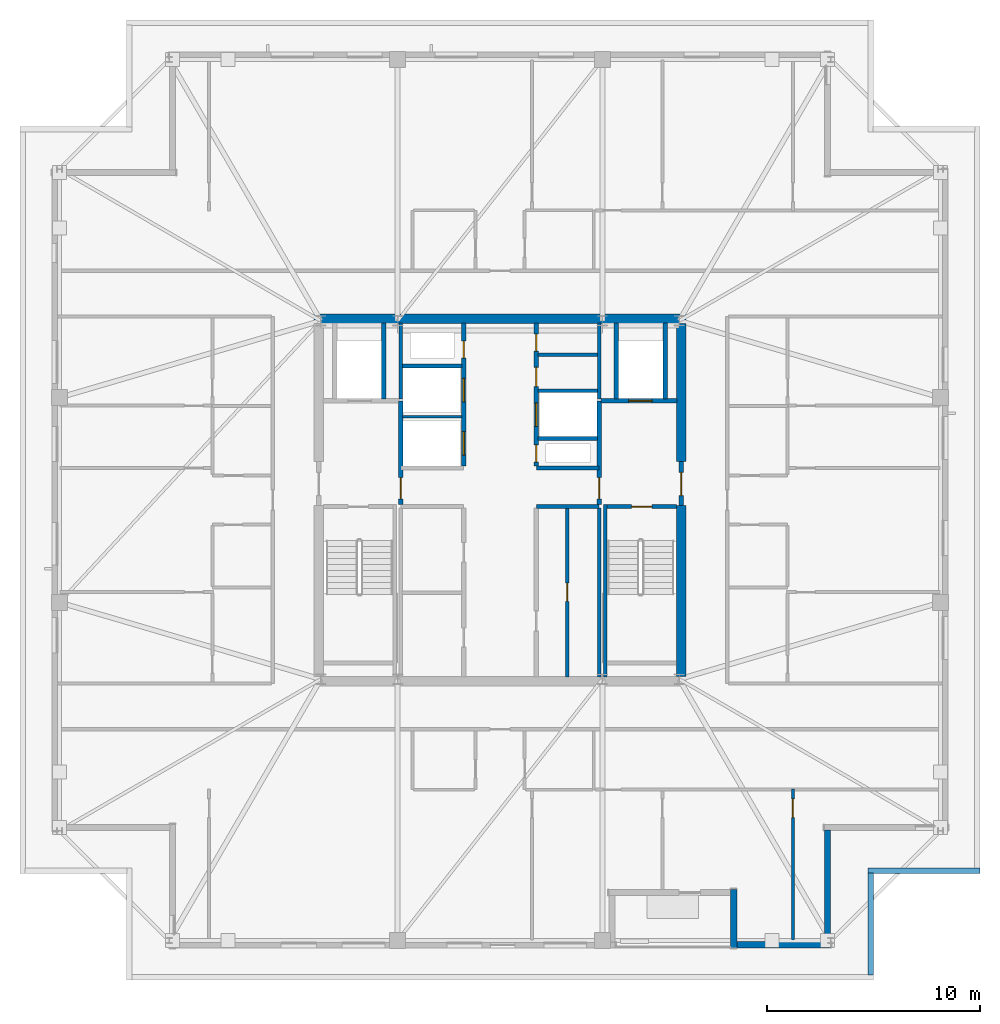
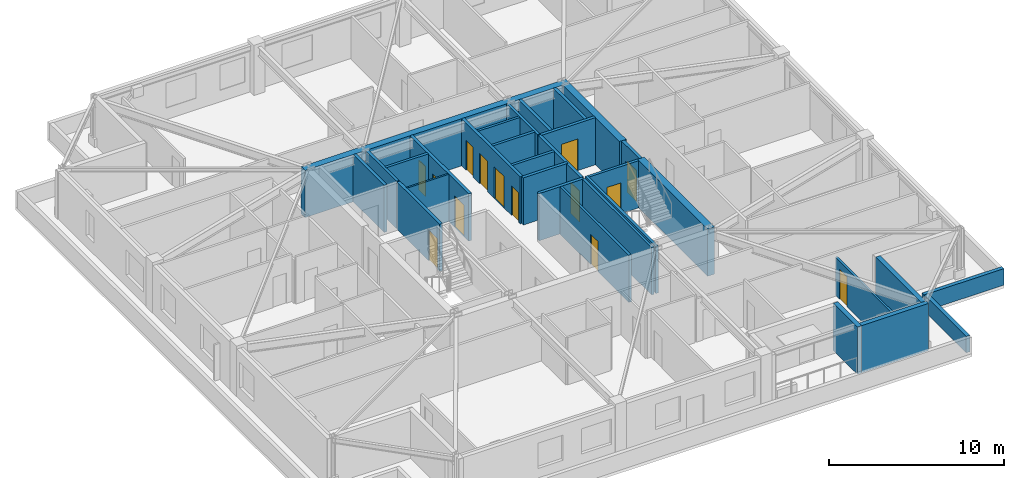
# One storey, part 9 of 15: 31 walls, 14 doors, 14 openings.
"""IFC4 building model written with IfcOpenShell, lengths in metres."""

from ifc_helpers import new_model, si_unit, direction, frame, frame_2d, origin, place, context, subcontext, project, spatial, rectangle, extrude, material, layer, layer_set, type_object, element, fill, save


model = new_model("IFC4")

# Units and contexts
model_context = context("Model", 3, precision=1e-05, world=origin(), true_north=direction((0.0, 1.0)))
body_context = subcontext(model_context, "Body", "Model", "MODEL_VIEW")
ifc_project = project(units=[si_unit("LENGTHUNIT", "METRE"), si_unit("AREAUNIT", "SQUARE_METRE"), si_unit("VOLUMEUNIT", "CUBIC_METRE"), si_unit("PLANEANGLEUNIT", "RADIAN"), si_unit("MASSUNIT", "GRAM", prefix="KILO")], contexts=[model_context])

# Site, building, storey
site_placement = place(None, origin())
site = spatial("IfcSite", under=ifc_project, at=site_placement, CompositionType="ELEMENT")
building_placement = place(site_placement, origin())
building = spatial("IfcBuilding", under=site, at=building_placement, Name="Cairnveth Concourse Tower", CompositionType="ELEMENT")
storey_placement = place(building_placement, frame((0.0, 0.0, 280.5)))
storey = spatial("IfcBuildingStorey", under=building, at=storey_placement, Name="L77", CompositionType="ELEMENT", Elevation=280.5)

# Wall
ifc_material_1 = material(Name="Gypsum Plasterboard Partition", Category="gypsum")
ifc_layer_1 = layer(ifc_material_1, 0.159912109375)
ifc_layer_set_1 = layer_set([ifc_layer_1], Name="Gypsum Plasterboard Partition")
wall_type_1 = type_object("IfcWallType", Name="ACOUSTIC PARTY WALL 180", PredefinedType="PARTITIONING", material=ifc_layer_set_1)
wall_1_placement = place(storey_placement, frame((56.64990234375, 30.7099609375, 0.0), z_axis=(0.0, 0.0, 1.0), x_axis=(0.0, 1.0, 0.0)))
element("IfcWall", 1, at=wall_1_placement, inside=storey, type_object=wall_type_1, Name="Interior Wall IW-L77-027", PredefinedType="PARTITIONING", context=body_context, shape_type="SweptSolid", body=[
    extrude(rectangle(XDim=7.905029296875, YDim=0.159912109375, at=frame_2d((3.95263671875, 0.0))), origin(), (0.0, 0.0, 1.0), 3.2900390625),
])

# Wall, opening, door
wall_2_placement = place(storey_placement, frame((55.14990234375, 30.7099609375, 0.0), z_axis=(0.0, 0.0, 1.0), x_axis=(0.0, 1.0, 0.0)))
wall_2 = element("IfcWall", 2, at=wall_2_placement, inside=storey, type_object=wall_type_1, Name="Interior Wall IW-L77-028", PredefinedType="PARTITIONING", context=body_context, shape_type="SweptSolid", body=[
    extrude(rectangle(XDim=7.905029296875, YDim=0.159912109375, at=frame_2d((3.95263671875, 0.0))), origin(), (0.0, 0.0, 1.0), 3.2900390625),
])
opening_1_placement = place(wall_2_placement, frame((3.5400390625, 0.0, 0.0)))
opening_1 = element("IfcOpeningElement", 3, at=opening_1_placement, cuts=wall_2, Name="Opening ID19", PredefinedType="OPENING", context=body_context, shape_type="SweptSolid", body=[
    extrude(rectangle(XDim=0.85009765625, YDim=2.1201171875, at=frame_2d((0.425048828125, 1.06005859375))), frame((0.0, 0.08984375, 0.0), z_axis=(0.0, -1.0, 0.0), x_axis=(1.0, 0.0, 0.0)), (0.0, 0.0, 1.0), 0.179931640625),
])
ifc_material_2 = material(Name="Steel Grade 350", Category="steel")
door_type_1 = type_object("IfcDoorType", Name="CORE SERVICE DOOR 850X2100", OperationType="NOTDEFINED", PredefinedType="DOOR", material=ifc_material_2)
door_1_placement = place(opening_1_placement, origin())
door_1 = element("IfcDoor", 4, at=door_1_placement, inside=storey, type_object=door_type_1, Name="Wine Cellar Door L77", OperationType="SINGLE_SWING_RIGHT", OverallHeight=2.1201171875, OverallWidth=0.85009765625, PredefinedType="DOOR", context=body_context, shape_type="SweptSolid", body=[
    extrude(rectangle(XDim=0.85009765625, YDim=2.1201171875, at=frame_2d((0.425048828125, 1.06005859375))), frame((0.0, 0.02490234375, 0.0), z_axis=(0.0, -1.0, 0.0), x_axis=(1.0, 0.0, 0.0)), (0.0, 0.0, 1.0), 0.050048828125),
])
fill(opening_1, door_1)

# Walls
wall_3_placement = place(storey_placement, frame((53.784912109375, 45.800048828125, 0.0), z_axis=(0.0, 0.0, 1.0), x_axis=(1.0, 0.0, 0.0)))
element("IfcWall", 5, at=wall_3_placement, inside=storey, type_object=wall_type_1, Name="Interior Wall IW-L77-035", PredefinedType="PARTITIONING", context=body_context, shape_type="SweptSolid", body=[
    extrude(rectangle(XDim=2.7900390625, YDim=0.159912109375, at=frame_2d((1.39501953125, 0.0))), origin(), (0.0, 0.0, 1.0), 3.2900390625),
])
ifc_material_3 = material(Name="Concrete N65 (65 MPa)", Category="concrete")
ifc_layer_2 = layer(ifc_material_3, 0.449951171875)
ifc_layer_set_2 = layer_set([ifc_layer_2], Name="Concrete N65 (65 MPa)")
wall_type_2 = type_object("IfcWallType", Name="CORE SHEAR WALL 450", PredefinedType="SHEAR", material=ifc_layer_set_2)
wall_4_placement = place(storey_placement, frame((43.27490234375, 47.5, 0.0), z_axis=(0.0, 0.0, 1.0), x_axis=(1.0, 0.0, 0.0)))
element("IfcWall", 6, at=wall_4_placement, inside=storey, type_object=wall_type_2, Name="Core North Shear Wall L77", PredefinedType="SHEAR", context=body_context, shape_type="SweptSolid", body=[
    extrude(rectangle(XDim=17.4501953125, YDim=0.449951171875, at=frame_2d((8.72509765625, 0.0))), origin(), (0.0, 0.0, 1.0), 3.2900390625),
])
wall_5_placement = place(storey_placement, frame((60.5, 30.715087890625, 0.0), z_axis=(0.0, 0.0, 1.0), x_axis=(0.0, 1.0, 0.0)))
element("IfcWall", 7, at=wall_5_placement, inside=storey, type_object=wall_type_2, Name="Core East Shear Wall S L77", PredefinedType="SHEAR", context=body_context, shape_type="SweptSolid", body=[
    extrude(rectangle(XDim=8.034912109375, YDim=0.449951171875, at=frame_2d((4.017578125, 0.0))), origin(), (0.0, 0.0, 1.0), 3.2900390625),
])
wall_6_placement = place(storey_placement, frame((60.5, 40.800048828125, 0.0), z_axis=(0.0, 0.0, 1.0), x_axis=(0.0, 1.0, 0.0)))
element("IfcWall", 8, at=wall_6_placement, inside=storey, type_object=wall_type_2, Name="Core East Shear Wall N L77", PredefinedType="SHEAR", context=body_context, shape_type="SweptSolid", body=[
    extrude(rectangle(XDim=6.48486328125, YDim=0.449951171875, at=frame_2d((3.242431640625, 0.0))), origin(), (0.0, 0.0, 1.0), 3.2900390625),
])
ifc_material_4 = material(Name="Concrete N50 (50 MPa)", Category="concrete")
ifc_layer_3 = layer(ifc_material_4, 0.179931640625)
ifc_layer_set_3 = layer_set([ifc_layer_3], Name="Concrete N50 (50 MPa)")
wall_type_3 = type_object("IfcWallType", Name="FIRE SHAFT WALL 180", PredefinedType="SOLIDWALL", material=ifc_layer_set_3)
wall_7_placement = place(storey_placement, frame((47.35009765625, 43.735107421875, 0.0), z_axis=(0.0, 0.0, 1.0), x_axis=(0.0, 1.0, 0.0)))
element("IfcWall", 9, at=wall_7_placement, inside=storey, type_object=wall_type_3, Name="Interior Wall IW-L77-029", PredefinedType="SOLIDWALL", context=body_context, shape_type="SweptSolid", body=[
    extrude(rectangle(XDim=3.554931640625, YDim=0.179931640625, at=frame_2d((1.77734375, 0.0))), origin(), (0.0, 0.0, 1.0), 3.2900390625),
])
wall_8_placement = place(storey_placement, frame((47.425048828125, 45.280029296875, 0.0), z_axis=(0.0, 0.0, 1.0), x_axis=(1.0, 0.0, 0.0)))
element("IfcWall", 10, at=wall_8_placement, inside=storey, type_object=wall_type_3, Name="Interior Wall IW-L77-031", PredefinedType="SOLIDWALL", context=body_context, shape_type="SweptSolid", body=[
    extrude(rectangle(XDim=2.7900390625, YDim=0.179931640625, at=frame_2d((1.39501953125, 0.0))), origin(), (0.0, 0.0, 1.0), 3.2900390625),
])
wall_9_placement = place(storey_placement, frame((56.64990234375, 43.735107421875, 0.0), z_axis=(0.0, 0.0, 1.0), x_axis=(0.0, 1.0, 0.0)))
element("IfcWall", 11, at=wall_9_placement, inside=storey, type_object=wall_type_3, Name="Interior Wall IW-L77-032", PredefinedType="SOLIDWALL", context=body_context, shape_type="SweptSolid", body=[
    extrude(rectangle(XDim=3.554931640625, YDim=0.179931640625, at=frame_2d((1.77734375, 0.0))), origin(), (0.0, 0.0, 1.0), 3.2900390625),
])
wall_10_placement = place(storey_placement, frame((53.784912109375, 41.8798828125, 0.0), z_axis=(0.0, 0.0, 1.0), x_axis=(1.0, 0.0, 0.0)))
element("IfcWall", 12, at=wall_10_placement, inside=storey, type_object=wall_type_3, Name="Interior Wall IW-L77-033", PredefinedType="SOLIDWALL", context=body_context, shape_type="SweptSolid", body=[
    extrude(rectangle(XDim=2.780029296875, YDim=0.179931640625, at=frame_2d((1.39013671875, 0.0))), origin(), (0.0, 0.0, 1.0), 3.2900390625),
])
wall_11_placement = place(storey_placement, frame((53.784912109375, 44.1201171875, 0.0), z_axis=(0.0, 0.0, 1.0), x_axis=(1.0, 0.0, 0.0)))
element("IfcWall", 13, at=wall_11_placement, inside=storey, type_object=wall_type_3, Name="Interior Wall IW-L77-034", PredefinedType="SOLIDWALL", context=body_context, shape_type="SweptSolid", body=[
    extrude(rectangle(XDim=2.7900390625, YDim=0.179931640625, at=frame_2d((1.39501953125, 0.0))), origin(), (0.0, 0.0, 1.0), 3.2900390625),
])

# Wall, opening, door
wall_12_placement = place(storey_placement, frame((57.0048828125, 38.68994140625, 0.0), z_axis=(0.0, 0.0, 1.0), x_axis=(1.0, 0.0, 0.0)))
wall_12 = element("IfcWall", 14, at=wall_12_placement, inside=storey, type_object=wall_type_3, Name="Stair ST-2 Shaft Wall NEAR L77", PredefinedType="SOLIDWALL", context=body_context, shape_type="SweptSolid", body=[
    extrude(rectangle(XDim=3.280029296875, YDim=0.179931640625, at=frame_2d((1.64013671875, 0.0))), origin(), (0.0, 0.0, 1.0), 3.2900390625),
])
opening_2_placement = place(wall_12_placement, frame((1.1650390625, 0.0, 0.0)))
opening_2 = element("IfcOpeningElement", 15, at=opening_2_placement, cuts=wall_12, Name="Opening ID12", PredefinedType="OPENING", context=body_context, shape_type="SweptSolid", body=[
    extrude(rectangle(XDim=0.949951171875, YDim=2.14990234375, at=frame_2d((0.47509765625, 1.074951171875))), frame((0.0, 0.099853515625, 0.0), z_axis=(0.0, -1.0, 0.0), x_axis=(1.0, 0.0, 0.0)), (0.0, 0.0, 1.0), 0.199951171875),
])
door_type_2 = type_object("IfcDoorType", Name="FIRE STAIR DOOR 950X2150", OperationType="NOTDEFINED", PredefinedType="DOOR", material=ifc_material_2)
door_2_placement = place(opening_2_placement, origin())
door_2 = element("IfcDoor", 16, at=door_2_placement, inside=storey, type_object=door_type_2, Name="Stair ST-2 Fire Door L77", OperationType="SINGLE_SWING_RIGHT", OverallHeight=2.14990234375, OverallWidth=0.949951171875, PredefinedType="DOOR", context=body_context, shape_type="SweptSolid", body=[
    extrude(rectangle(XDim=0.949951171875, YDim=2.14990234375, at=frame_2d((0.47509765625, 1.074951171875))), frame((0.0, 0.02490234375, 0.0), z_axis=(0.0, -1.0, 0.0), x_axis=(1.0, 0.0, 0.0)), (0.0, 0.0, 1.0), 0.050048828125),
])
fill(opening_2, door_2)

# Walls
wall_13_placement = place(storey_placement, frame((56.929931640625, 38.780029296875, 0.0), z_axis=(0.0, 0.0, 1.0), x_axis=(0.0, -1.0, 0.0)))
element("IfcWall", 17, at=wall_13_placement, inside=storey, type_object=wall_type_3, Name="Stair ST-2 Shaft Wall LEFT L77", PredefinedType="SOLIDWALL", context=body_context, shape_type="SweptSolid", body=[
    extrude(rectangle(XDim=8.067138671875, YDim=0.179931640625, at=frame_2d((4.03369140625, 0.0))), origin(), (0.0, 0.0, 1.0), 3.2900390625),
])
ifc_layer_4 = layer(ifc_material_4, 0.199951171875)
ifc_layer_set_4 = layer_set([ifc_layer_4], Name="Concrete N50 (50 MPa)")
wall_type_4 = type_object("IfcWallType", Name="FIRE SHAFT WALL 200", PredefinedType="SOLIDWALL", material=ifc_layer_set_4)
for number, where, z_axis, x_axis, name in (
    (18, (53.699951171875, 38.699951171875, 0.0), (0.0, 0.0, 1.0), (1.0, 0.0, 0.0), "Interior Wall IW-L77-009"),
    (19, (53.699951171875, 40.5, 0.0), (0.0, 0.0, 1.0), (1.0, 0.0, 0.0), "Interior Wall IW-L77-010"),
):
    element("IfcWall", number, at=place(storey_placement, frame(where, z_axis=z_axis, x_axis=x_axis)), inside=storey, type_object=wall_type_4, Name=name, PredefinedType="SOLIDWALL", context=body_context, shape_type="SweptSolid", body=[
        extrude(rectangle(XDim=2.949951171875, YDim=0.199951171875, at=frame_2d((1.47509765625, 0.0))), origin(), (0.0, 0.0, 1.0), 3.2900390625),
    ])

# Wall, openings, doors
wall_14_placement = place(storey_placement, frame((50.300048828125, 40.5849609375, 0.0), z_axis=(0.0, 0.0, 1.0), x_axis=(0.0, 1.0, 0.0)))
wall_14 = element("IfcWall", 20, at=wall_14_placement, inside=storey, type_object=wall_type_4, Name="Interior Wall IW-L77-013", PredefinedType="SOLIDWALL", context=body_context, shape_type="SweptSolid", body=[
    extrude(rectangle(XDim=6.705078125, YDim=0.199951171875, at=frame_2d((3.3525390625, 0.0))), origin(), (0.0, 0.0, 1.0), 3.2900390625),
])
opening_3_placement = place(wall_14_placement, frame((0.514892578125, 0.0, 0.0)))
opening_3 = element("IfcOpeningElement", 21, at=opening_3_placement, cuts=wall_14, Name="Opening LD-1", PredefinedType="OPENING", context=body_context, shape_type="SweptSolid", body=[
    extrude(rectangle(XDim=1.10009765625, YDim=2.199951171875, at=frame_2d((0.550048828125, 1.10009765625))), frame((0.0, 0.10986328125, 0.0), z_axis=(0.0, -1.0, 0.0), x_axis=(1.0, 0.0, 0.0)), (0.0, 0.0, 1.0), 0.219970703125),
])
opening_4_placement = place(wall_14_placement, frame((3.014892578125, 0.0, 0.0)))
opening_4 = element("IfcOpeningElement", 22, at=opening_4_placement, cuts=wall_14, Name="Opening LD-1", PredefinedType="OPENING", context=body_context, shape_type="SweptSolid", body=[
    extrude(rectangle(XDim=1.10009765625, YDim=2.199951171875, at=frame_2d((0.550048828125, 1.10009765625))), frame((0.0, 0.10986328125, 0.0), z_axis=(0.0, -1.0, 0.0), x_axis=(1.0, 0.0, 0.0)), (0.0, 0.0, 1.0), 0.219970703125),
])
opening_5_placement = place(wall_14_placement, frame((5.06494140625, 0.0, 0.0)))
opening_5 = element("IfcOpeningElement", 23, at=opening_5_placement, cuts=wall_14, Name="Opening ID24", PredefinedType="OPENING", context=body_context, shape_type="SweptSolid", body=[
    extrude(rectangle(XDim=0.800048828125, YDim=2.080078125, at=frame_2d((0.39990234375, 1.0400390625))), frame((0.0, 0.10986328125, 0.0), z_axis=(0.0, -1.0, 0.0), x_axis=(1.0, 0.0, 0.0)), (0.0, 0.0, 1.0), 0.219970703125),
])
ifc_material_5 = material(Name="Architectural Bronze Anodised Aluminium 6063-T6", Category="aluminium")
door_type_3 = type_object("IfcDoorType", Name="LIFT LANDING DOOR 1100X2200", OperationType="SLIDING_TO_LEFT", PredefinedType="DOOR", material=ifc_material_5)
door_3_placement = place(opening_3_placement, origin())
door_3 = element("IfcDoor", 24, at=door_3_placement, inside=storey, type_object=door_type_3, Name="Lift PL7 Landing Door L77", OperationType="SLIDING_TO_LEFT", OverallHeight=2.199951171875, OverallWidth=1.10009765625, PredefinedType="DOOR", context=body_context, shape_type="SweptSolid", body=[
    extrude(rectangle(XDim=1.10009765625, YDim=2.199951171875, at=frame_2d((0.550048828125, 1.10009765625))), frame((0.0, 0.02490234375, 0.0), z_axis=(0.0, -1.0, 0.0), x_axis=(1.0, 0.0, 0.0)), (0.0, 0.0, 1.0), 0.050048828125),
])
fill(opening_3, door_3)
door_4_placement = place(opening_4_placement, origin())
door_4 = element("IfcDoor", 25, at=door_4_placement, inside=storey, type_object=door_type_3, Name="Lift PL8 Landing Door L77", OperationType="SLIDING_TO_LEFT", OverallHeight=2.199951171875, OverallWidth=1.10009765625, PredefinedType="DOOR", context=body_context, shape_type="SweptSolid", body=[
    extrude(rectangle(XDim=1.10009765625, YDim=2.199951171875, at=frame_2d((0.550048828125, 1.10009765625))), frame((0.0, 0.02490234375, 0.0), z_axis=(0.0, -1.0, 0.0), x_axis=(1.0, 0.0, 0.0)), (0.0, 0.0, 1.0), 0.050048828125),
])
fill(opening_4, door_4)
door_type_4 = type_object("IfcDoorType", Name="RISER ACCESS DOOR 800X2100", OperationType="NOTDEFINED", PredefinedType="DOOR", material=ifc_material_2)
door_5_placement = place(opening_5_placement, origin())
door_5 = element("IfcDoor", 26, at=door_5_placement, inside=storey, type_object=door_type_4, Name="NW Electrical Riser Access Door L77", OperationType="SINGLE_SWING_LEFT", OverallHeight=2.080078125, OverallWidth=0.800048828125, PredefinedType="DOOR", context=body_context, shape_type="SweptSolid", body=[
    extrude(rectangle(XDim=0.800048828125, YDim=2.080078125, at=frame_2d((0.39990234375, 1.0400390625))), frame((0.0, 0.02490234375, 0.0), z_axis=(0.0, -1.0, 0.0), x_axis=(1.0, 0.0, 0.0)), (0.0, 0.0, 1.0), 0.050048828125),
])
fill(opening_5, door_5)

wall_15_placement = place(storey_placement, frame((53.699951171875, 40.5849609375, 0.0), z_axis=(0.0, 0.0, 1.0), x_axis=(0.0, 1.0, 0.0)))
wall_15 = element("IfcWall", 27, at=wall_15_placement, inside=storey, type_object=wall_type_4, Name="Interior Wall IW-L77-014", PredefinedType="SOLIDWALL", context=body_context, shape_type="SweptSolid", body=[
    extrude(rectangle(XDim=6.705078125, YDim=0.199951171875, at=frame_2d((3.3525390625, 0.0))), origin(), (0.0, 0.0, 1.0), 3.2900390625),
])
opening_6_placement = place(wall_15_placement, frame((0.195068359375, 0.0, 0.0)))
opening_6 = element("IfcOpeningElement", 28, at=opening_6_placement, cuts=wall_15, Name="Opening ID24", PredefinedType="OPENING", context=body_context, shape_type="SweptSolid", body=[
    extrude(rectangle(XDim=0.800048828125, YDim=2.080078125, at=frame_2d((0.39990234375, 1.0400390625))), frame((0.0, 0.10986328125, 0.0), z_axis=(0.0, -1.0, 0.0), x_axis=(1.0, 0.0, 0.0)), (0.0, 0.0, 1.0), 0.219970703125),
])
opening_7_placement = place(wall_15_placement, frame((1.864990234375, 0.0, 0.0)))
opening_7 = element("IfcOpeningElement", 29, at=opening_7_placement, cuts=wall_15, Name="Opening LD-1", PredefinedType="OPENING", context=body_context, shape_type="SweptSolid", body=[
    extrude(rectangle(XDim=1.10009765625, YDim=2.199951171875, at=frame_2d((0.550048828125, 1.10009765625))), frame((0.0, 0.10986328125, 0.0), z_axis=(0.0, -1.0, 0.0), x_axis=(1.0, 0.0, 0.0)), (0.0, 0.0, 1.0), 0.219970703125),
])
opening_8_placement = place(wall_15_placement, frame((3.735107421875, 0.0, 0.0)))
opening_8 = element("IfcOpeningElement", 30, at=opening_8_placement, cuts=wall_15, Name="Opening ID26", PredefinedType="OPENING", context=body_context, shape_type="SweptSolid", body=[
    extrude(rectangle(XDim=0.89990234375, YDim=2.1201171875, at=frame_2d((0.449951171875, 1.06005859375))), frame((0.0, 0.10986328125, 0.0), z_axis=(0.0, -1.0, 0.0), x_axis=(1.0, 0.0, 0.0)), (0.0, 0.0, 1.0), 0.219970703125),
])
opening_9_placement = place(wall_15_placement, frame((5.39501953125, 0.0, 0.0)))
opening_9 = element("IfcOpeningElement", 31, at=opening_9_placement, cuts=wall_15, Name="Opening ID23", PredefinedType="OPENING", context=body_context, shape_type="SweptSolid", body=[
    extrude(rectangle(XDim=0.800048828125, YDim=2.10009765625, at=frame_2d((0.39990234375, 1.050048828125))), frame((0.0, 0.10986328125, 0.0), z_axis=(0.0, -1.0, 0.0), x_axis=(1.0, 0.0, 0.0)), (0.0, 0.0, 1.0), 0.219970703125),
])
door_type_5 = type_object("IfcDoorType", Name="CORE SERVICE DOOR 800X2100", OperationType="NOTDEFINED", PredefinedType="DOOR", material=ifc_material_2)
door_6_placement = place(opening_9_placement, origin())
door_6 = element("IfcDoor", 32, at=door_6_placement, inside=storey, type_object=door_type_5, Name="Core NE Cleaners Door L77", OperationType="SINGLE_SWING_LEFT", OverallHeight=2.10009765625, OverallWidth=0.800048828125, PredefinedType="DOOR", context=body_context, shape_type="SweptSolid", body=[
    extrude(rectangle(XDim=0.800048828125, YDim=2.10009765625, at=frame_2d((0.39990234375, 1.050048828125))), frame((0.0, 0.02490234375, 0.0), z_axis=(0.0, -1.0, 0.0), x_axis=(1.0, 0.0, 0.0)), (0.0, 0.0, 1.0), 0.050048828125),
])
fill(opening_9, door_6)
door_type_6 = type_object("IfcDoorType", Name="CORE TOILET FIRE DOOR 900X2120", OperationType="NOTDEFINED", PredefinedType="DOOR", material=ifc_material_2)
door_7_placement = place(opening_8_placement, origin())
door_7 = element("IfcDoor", 33, at=door_7_placement, inside=storey, type_object=door_type_6, Name="Core NE Unisex WC Door L77", OperationType="SINGLE_SWING_RIGHT", OverallHeight=2.1201171875, OverallWidth=0.89990234375, PredefinedType="DOOR", context=body_context, shape_type="SweptSolid", body=[
    extrude(rectangle(XDim=0.89990234375, YDim=2.1201171875, at=frame_2d((0.449951171875, 1.06005859375))), frame((0.0, 0.02490234375, 0.0), z_axis=(0.0, -1.0, 0.0), x_axis=(1.0, 0.0, 0.0)), (0.0, 0.0, 1.0), 0.050048828125),
])
fill(opening_8, door_7)
door_8_placement = place(opening_7_placement, origin())
door_8 = element("IfcDoor", 34, at=door_8_placement, inside=storey, type_object=door_type_3, Name="Lift PL9 Landing Door L77", OperationType="SLIDING_TO_LEFT", OverallHeight=2.199951171875, OverallWidth=1.10009765625, PredefinedType="DOOR", context=body_context, shape_type="SweptSolid", body=[
    extrude(rectangle(XDim=1.10009765625, YDim=2.199951171875, at=frame_2d((0.550048828125, 1.10009765625))), frame((0.0, 0.02490234375, 0.0), z_axis=(0.0, -1.0, 0.0), x_axis=(1.0, 0.0, 0.0)), (0.0, 0.0, 1.0), 0.050048828125),
])
fill(opening_7, door_8)
door_9_placement = place(opening_6_placement, origin())
door_9 = element("IfcDoor", 35, at=door_9_placement, inside=storey, type_object=door_type_4, Name="Hydraulic Riser Door L77", OperationType="SINGLE_SWING_RIGHT", OverallHeight=2.080078125, OverallWidth=0.800048828125, PredefinedType="DOOR", context=body_context, shape_type="SweptSolid", body=[
    extrude(rectangle(XDim=0.800048828125, YDim=2.080078125, at=frame_2d((0.39990234375, 1.0400390625))), frame((0.0, 0.02490234375, 0.0), z_axis=(0.0, -1.0, 0.0), x_axis=(1.0, 0.0, 0.0)), (0.0, 0.0, 1.0), 0.050048828125),
])
fill(opening_6, door_9)

# Wall, opening, door
wall_16_placement = place(storey_placement, frame((47.35009765625, 38.784912109375, 0.0), z_axis=(0.0, 0.0, 1.0), x_axis=(0.0, 1.0, 0.0)))
wall_16 = element("IfcWall", 36, at=wall_16_placement, inside=storey, type_object=wall_type_4, Name="Interior Wall IW-L77-016", PredefinedType="SOLIDWALL", context=body_context, shape_type="SweptSolid", body=[
    extrude(rectangle(XDim=4.864990234375, YDim=0.199951171875, at=frame_2d((2.4326171875, 0.0))), origin(), (0.0, 0.0, 1.0), 3.2900390625),
])
opening_10_placement = place(wall_16_placement, frame((0.264892578125, 0.0, 0.0)))
opening_10 = element("IfcOpeningElement", 37, at=opening_10_placement, cuts=wall_16, Name="Opening ID07", PredefinedType="OPENING", context=body_context, shape_type="SweptSolid", body=[
    extrude(rectangle(XDim=1.0, YDim=2.14990234375, at=frame_2d((0.5, 1.074951171875))), frame((0.0, 0.10986328125, 0.0), z_axis=(0.0, -1.0, 0.0), x_axis=(1.0, 0.0, 0.0)), (0.0, 0.0, 1.0), 0.219970703125),
])
door_type_7 = type_object("IfcDoorType", Name="FIRE CORRIDOR DOOR 1000X2150", OperationType="NOTDEFINED", PredefinedType="DOOR", material=ifc_material_2)
door_10_placement = place(opening_10_placement, origin())
door_10 = element("IfcDoor", 38, at=door_10_placement, inside=storey, type_object=door_type_7, Name="FF Lobby West to Lift Lobby Door L77", OperationType="SINGLE_SWING_RIGHT", OverallHeight=2.14990234375, OverallWidth=1.0, PredefinedType="DOOR", context=body_context, shape_type="SweptSolid", body=[
    extrude(rectangle(XDim=1.0, YDim=2.14990234375, at=frame_2d((0.5, 1.074951171875))), frame((0.0, 0.02490234375, 0.0), z_axis=(0.0, -1.0, 0.0), x_axis=(1.0, 0.0, 0.0)), (0.0, 0.0, 1.0), 0.050048828125),
])
fill(opening_10, door_10)

# Wall
wall_17_placement = place(storey_placement, frame((46.550048828125, 43.735107421875, 0.0), z_axis=(0.0, 0.0, 1.0), x_axis=(0.0, 1.0, 0.0)))
element("IfcWall", 39, at=wall_17_placement, inside=storey, type_object=wall_type_4, Name="Interior Wall IW-L77-018", PredefinedType="SOLIDWALL", context=body_context, shape_type="SweptSolid", body=[
    extrude(rectangle(XDim=3.554931640625, YDim=0.199951171875, at=frame_2d((1.77734375, 0.0))), origin(), (0.0, 0.0, 1.0), 3.2900390625),
])

# Wall, opening, door
wall_18_placement = place(storey_placement, frame((60.5, 38.75, 0.0), z_axis=(0.0, 0.0, 1.0), x_axis=(0.0, 1.0, 0.0)))
wall_18 = element("IfcWall", 40, at=wall_18_placement, inside=storey, type_object=wall_type_4, Name="Interior Wall IW-L77-020", PredefinedType="SOLIDWALL", context=body_context, shape_type="SweptSolid", body=[
    extrude(rectangle(XDim=2.050048828125, YDim=0.199951171875, at=frame_2d((1.02490234375, 0.0))), origin(), (0.0, 0.0, 1.0), 3.2900390625),
])
opening_11_placement = place(wall_18_placement, frame((0.449951171875, 0.0, 0.0)))
opening_11 = element("IfcOpeningElement", 41, at=opening_11_placement, cuts=wall_18, Name="Opening ID06", PredefinedType="OPENING", context=body_context, shape_type="SweptSolid", body=[
    extrude(rectangle(XDim=1.10009765625, YDim=2.14990234375, at=frame_2d((0.550048828125, 1.074951171875))), frame((0.0, 0.10986328125, 0.0), z_axis=(0.0, -1.0, 0.0), x_axis=(1.0, 0.0, 0.0)), (0.0, 0.0, 1.0), 0.219970703125),
])
door_type_8 = type_object("IfcDoorType", Name="FIRE CORRIDOR DOOR 1100X2150", OperationType="NOTDEFINED", PredefinedType="DOOR", material=ifc_material_2)
door_11_placement = place(opening_11_placement, origin())
door_11 = element("IfcDoor", 42, at=door_11_placement, inside=storey, type_object=door_type_8, Name="East Wing to FF Lobby Door L77", OperationType="SINGLE_SWING_RIGHT", OverallHeight=2.14990234375, OverallWidth=1.10009765625, PredefinedType="DOOR", context=body_context, shape_type="SweptSolid", body=[
    extrude(rectangle(XDim=1.10009765625, YDim=2.14990234375, at=frame_2d((0.550048828125, 1.074951171875))), frame((0.0, 0.02490234375, 0.0), z_axis=(0.0, -1.0, 0.0), x_axis=(1.0, 0.0, 0.0)), (0.0, 0.0, 1.0), 0.050048828125),
])
fill(opening_11, door_11)

wall_19_placement = place(storey_placement, frame((56.64990234375, 38.784912109375, 0.0), z_axis=(0.0, 0.0, 1.0), x_axis=(0.0, 1.0, 0.0)))
wall_19 = element("IfcWall", 43, at=wall_19_placement, inside=storey, type_object=wall_type_4, Name="Interior Wall IW-L77-021", PredefinedType="SOLIDWALL", context=body_context, shape_type="SweptSolid", body=[
    extrude(rectangle(XDim=4.864990234375, YDim=0.199951171875, at=frame_2d((2.4326171875, 0.0))), origin(), (0.0, 0.0, 1.0), 3.2900390625),
])
opening_12_placement = place(wall_19_placement, frame((0.264892578125, 0.0, 0.0)))
opening_12 = element("IfcOpeningElement", 44, at=opening_12_placement, cuts=wall_19, Name="Opening ID07", PredefinedType="OPENING", context=body_context, shape_type="SweptSolid", body=[
    extrude(rectangle(XDim=1.0, YDim=2.14990234375, at=frame_2d((0.5, 1.074951171875))), frame((0.0, 0.10986328125, 0.0), z_axis=(0.0, -1.0, 0.0), x_axis=(1.0, 0.0, 0.0)), (0.0, 0.0, 1.0), 0.219970703125),
])
door_12_placement = place(opening_12_placement, origin())
door_12 = element("IfcDoor", 45, at=door_12_placement, inside=storey, type_object=door_type_7, Name="FF Lobby East to Lift Lobby Door L77", OperationType="SINGLE_SWING_LEFT", OverallHeight=2.14990234375, OverallWidth=1.0, PredefinedType="DOOR", context=body_context, shape_type="SweptSolid", body=[
    extrude(rectangle(XDim=1.0, YDim=2.14990234375, at=frame_2d((0.5, 1.074951171875))), frame((0.0, 0.02490234375, 0.0), z_axis=(0.0, -1.0, 0.0), x_axis=(1.0, 0.0, 0.0)), (0.0, 0.0, 1.0), 0.050048828125),
])
fill(opening_12, door_12)

wall_20_placement = place(storey_placement, frame((56.735107421875, 43.64990234375, 0.0), z_axis=(0.0, 0.0, 1.0), x_axis=(1.0, 0.0, 0.0)))
wall_20 = element("IfcWall", 46, at=wall_20_placement, inside=storey, type_object=wall_type_4, Name="Interior Wall IW-L77-022", PredefinedType="SOLIDWALL", context=body_context, shape_type="SweptSolid", body=[
    extrude(rectangle(XDim=3.554931640625, YDim=0.199951171875, at=frame_2d((1.77734375, 0.0))), origin(), (0.0, 0.0, 1.0), 3.2900390625),
])
opening_13_placement = place(wall_20_placement, frame((1.294921875, 0.0, 0.0)))
opening_13 = element("IfcOpeningElement", 47, at=opening_13_placement, cuts=wall_20, Name="Opening LD-1", PredefinedType="OPENING", context=body_context, shape_type="SweptSolid", body=[
    extrude(rectangle(XDim=1.10009765625, YDim=2.199951171875, at=frame_2d((0.550048828125, 1.10009765625))), frame((0.0, 0.10986328125, 0.0), z_axis=(0.0, -1.0, 0.0), x_axis=(1.0, 0.0, 0.0)), (0.0, 0.0, 1.0), 0.219970703125),
])
door_13_placement = place(opening_13_placement, origin())
door_13 = element("IfcDoor", 48, at=door_13_placement, inside=storey, type_object=door_type_3, Name="Lift FFL2 Landing Door L77", OperationType="SLIDING_TO_LEFT", OverallHeight=2.199951171875, OverallWidth=1.10009765625, PredefinedType="DOOR", context=body_context, shape_type="SweptSolid", body=[
    extrude(rectangle(XDim=1.10009765625, YDim=2.199951171875, at=frame_2d((0.550048828125, 1.10009765625))), frame((0.0, 0.02490234375, 0.0), z_axis=(0.0, -1.0, 0.0), x_axis=(1.0, 0.0, 0.0)), (0.0, 0.0, 1.0), 0.050048828125),
])
fill(opening_13, door_13)

# Walls
for number, where, z_axis, x_axis, name in (
    (49, (57.449951171875, 43.735107421875, 0.0), (0.0, 0.0, 1.0), (0.0, 1.0, 0.0), "Interior Wall IW-L77-023"),
    (50, (59.75, 43.735107421875, 0.0), (0.0, 0.0, 1.0), (0.0, 1.0, 0.0), "Interior Wall IW-L77-024"),
):
    element("IfcWall", number, at=place(storey_placement, frame(where, z_axis=z_axis, x_axis=x_axis)), inside=storey, type_object=wall_type_4, Name=name, PredefinedType="SOLIDWALL", context=body_context, shape_type="SweptSolid", body=[
        extrude(rectangle(XDim=3.554931640625, YDim=0.199951171875, at=frame_2d((1.77734375, 0.0))), origin(), (0.0, 0.0, 1.0), 3.2900390625),
    ])

# Wall, opening, door
ifc_layer_5 = layer(ifc_material_1, 0.139892578125)
ifc_layer_set_5 = layer_set([ifc_layer_5], Name="Gypsum Plasterboard Partition")
wall_type_5 = type_object("IfcWallType", Name="GYPSUM STUD PARTITION 140", PredefinedType="PARTITIONING", material=ifc_layer_set_5)
wall_21_placement = place(storey_placement, frame((65.72998046875, 18.3798828125, 0.0), z_axis=(0.0, 0.0, 1.0), x_axis=(0.0, 1.0, 0.0)))
wall_21 = element("IfcWall", 51, at=wall_21_placement, inside=storey, type_object=wall_type_5, Name="Interior Wall IW-L77-051", PredefinedType="PARTITIONING", context=body_context, shape_type="SweptSolid", body=[
    extrude(rectangle(XDim=7.080078125, YDim=0.139892578125, at=frame_2d((3.5400390625, 0.0))), origin(), (0.0, 0.0, 1.0), 2.653076171875),
])
opening_14_placement = place(wall_21_placement, frame((5.72998046875, 0.0, 0.0)))
opening_14 = element("IfcOpeningElement", 52, at=opening_14_placement, cuts=wall_21, Name="Opening ID18", PredefinedType="OPENING", context=body_context, shape_type="SweptSolid", body=[
    extrude(rectangle(XDim=0.8798828125, YDim=2.10009765625, at=frame_2d((0.43994140625, 1.050048828125))), frame((0.0, 0.079833984375, 0.0), z_axis=(0.0, -1.0, 0.0), x_axis=(1.0, 0.0, 0.0)), (0.0, 0.0, 1.0), 0.159912109375),
])
ifc_material_6 = material(Name="Solid Core Hardwood Timber Leaf", Category="wood")
door_type_9 = type_object("IfcDoorType", Name="INTERIOR SINGLE DOOR 880X2100", OperationType="NOTDEFINED", PredefinedType="DOOR", material=ifc_material_6)
door_14_placement = place(opening_14_placement, origin())
door_14 = element("IfcDoor", 53, at=door_14_placement, inside=storey, type_object=door_type_9, Name="L77PS1 Bedroom 2 Door", OperationType="SINGLE_SWING_RIGHT", OverallHeight=2.10009765625, OverallWidth=0.8798828125, PredefinedType="DOOR", context=body_context, shape_type="SweptSolid", body=[
    extrude(rectangle(XDim=0.8798828125, YDim=2.10009765625, at=frame_2d((0.43994140625, 1.050048828125))), frame((0.0, 0.02490234375, 0.0), z_axis=(0.0, -1.0, 0.0), x_axis=(1.0, 0.0, 0.0)), (0.0, 0.0, 1.0), 0.050048828125),
])
fill(opening_14, door_14)

# Walls
ifc_material_7 = material(Name="Hawthorn Red-Ochre Fired Clay Brick Masonry", Category="masonry")
ifc_layer_6 = layer(ifc_material_7, 0.25)
ifc_layer_set_6 = layer_set([ifc_layer_6], Name="Hawthorn Red-Ochre Fired Clay Brick Masonry")
wall_type_6 = type_object("IfcWallType", Name="ROOF MASONRY PARAPET WALL 250", PredefinedType="PARAPET", material=ifc_layer_set_6)
wall_22_placement = place(storey_placement, frame((74.5, 21.625, 0.0), z_axis=(0.0, 0.0, 1.0), x_axis=(-1.0, 0.0, 0.0)))
element("IfcWall", 54, at=wall_22_placement, inside=storey, type_object=wall_type_6, Name="Exterior Wall EP-L77-SB09", PredefinedType="PARAPET", context=body_context, shape_type="SweptSolid", body=[
    extrude(rectangle(XDim=5.25, YDim=0.25, at=frame_2d((2.625, 0.0))), origin(), (0.0, 0.0, 1.0), 1.14990234375),
])
wall_23_placement = place(storey_placement, frame((69.375, 21.52197265625, 0.0), z_axis=(0.0, 0.0, 1.0), x_axis=(0.0, -1.0, 0.0)))
element("IfcWall", 55, at=wall_23_placement, inside=storey, type_object=wall_type_6, Name="Exterior Wall EP-L77-SB10", PredefinedType="PARAPET", context=body_context, shape_type="SweptSolid", body=[
    extrude(rectangle(XDim=4.7939453125, YDim=0.25, at=frame_2d((2.39697265625, 0.0))), origin(), (0.0, 0.0, 1.0), 1.14990234375),
])
ifc_layer_7 = layer(ifc_material_1, 0.110107421875)
ifc_layer_set_7 = layer_set([ifc_layer_7], Name="Gypsum Plasterboard Partition")
wall_type_7 = type_object("IfcWallType", Name="SHAFT DIVIDER WALL 140", PredefinedType="PARTITIONING", material=ifc_layer_set_7)
wall_24_placement = place(storey_placement, frame((47.43505859375, 42.89990234375, 0.0), z_axis=(0.0, 0.0, 1.0), x_axis=(1.0, 0.0, 0.0)))
element("IfcWall", 56, at=wall_24_placement, inside=storey, type_object=wall_type_7, Name="Interior Wall IW-L77-030", PredefinedType="PARTITIONING", context=body_context, shape_type="SweptSolid", body=[
    extrude(rectangle(XDim=2.780029296875, YDim=0.110107421875, at=frame_2d((1.39013671875, 0.0))), origin(), (0.0, 0.0, 1.0), 3.2900390625),
])
ifc_layer_8 = layer(ifc_material_7, 0.300048828125)
ifc_layer_set_8 = layer_set([ifc_layer_8], Name="Hawthorn Red-Ochre Fired Clay Brick Masonry")
wall_type_8 = type_object("IfcWallType", Name="ZONE 4 BRICK PIER SPANDREL WALL 300", PredefinedType="SOLIDWALL", material=ifc_layer_set_8)
wall_25_placement = place(storey_placement, frame((67.35009765625, 23.52197265625, 0.0), z_axis=(0.0, 0.0, 1.0), x_axis=(0.0, -1.0, 0.0)))
element("IfcWall", 57, at=wall_25_placement, inside=storey, type_object=wall_type_8, Name="Exterior Wall EW-L77-S11", PredefinedType="SOLIDWALL", context=body_context, shape_type="SweptSolid", body=[
    extrude(rectangle(XDim=5.243896484375, YDim=0.300048828125, at=frame_2d((2.6220703125, 0.0))), origin(), (0.0, 0.0, 1.0), 3.2900390625),
])
wall_26_placement = place(storey_placement, frame((67.5, 18.14990234375, 0.0), z_axis=(0.0, 0.0, 1.0), x_axis=(-1.0, 0.0, 0.0)))
element("IfcWall", 58, at=wall_26_placement, inside=storey, type_object=wall_type_8, Name="Exterior Wall EW-L77-S12", PredefinedType="SOLIDWALL", context=body_context, shape_type="SweptSolid", body=[
    extrude(rectangle(XDim=4.422119140625, YDim=0.300048828125, at=frame_2d((2.2109375, 0.0))), origin(), (0.0, 0.0, 1.0), 3.2900390625),
])
wall_27_placement = place(storey_placement, frame((62.949951171875, 18.0, 0.0), z_axis=(0.0, 0.0, 1.0), x_axis=(0.0, 1.0, 0.0)))
element("IfcWall", 59, at=wall_27_placement, inside=storey, type_object=wall_type_8, Name="Exterior Wall EW-L77-S13", PredefinedType="SOLIDWALL", context=body_context, shape_type="SweptSolid", body=[
    extrude(rectangle(XDim=2.75, YDim=0.300048828125, at=frame_2d((1.375, 0.0))), origin(), (0.0, 0.0, 1.0), 3.2900390625),
])

save(model, "model.ifc")
